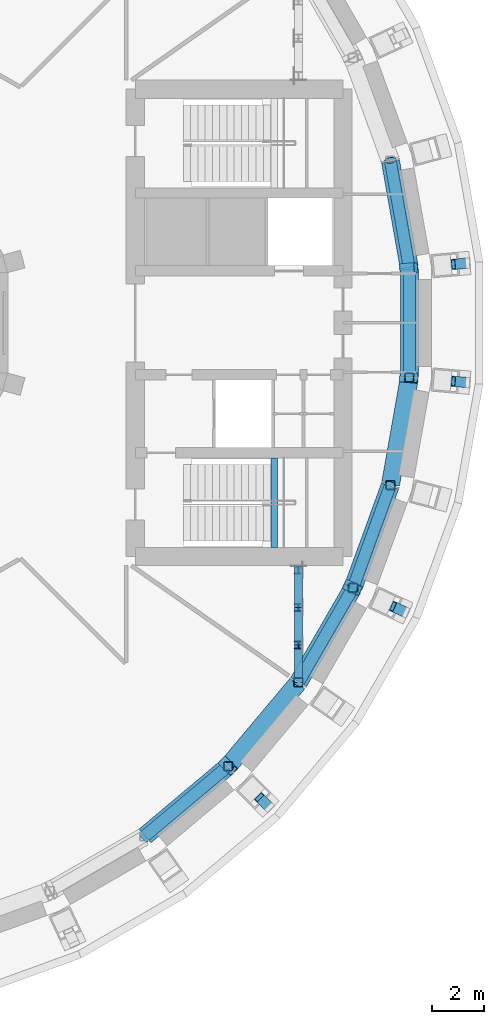
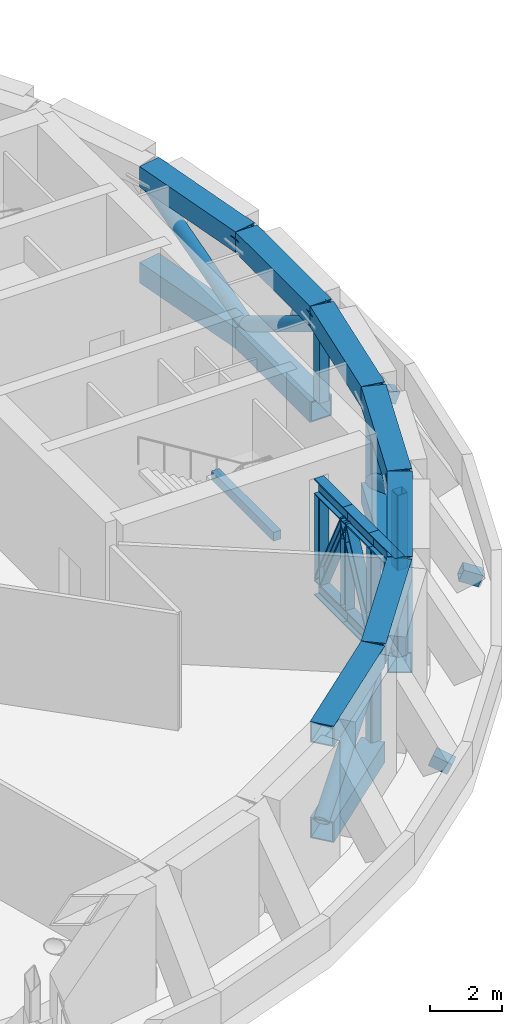
# One storey, part 4 of 20: 32 members, 9 beams.
"""IFC4 building model written with IfcOpenShell, lengths in metres."""

from ifc_helpers import new_model, si_unit, direction, frame, origin, origin_2d, place, context, subcontext, project, spatial, rectangle, hollow_rectangle, hollow_circle, i_section, extrude, material, material_profile, profile_set, type_object, element, save


model = new_model("IFC4")

# Units and contexts
model_context = context("Model", 3, precision=1e-05, world=origin(), true_north=direction((0.0, 1.0)))
body_context = subcontext(model_context, "Body", "Model", "MODEL_VIEW")
ifc_project = project(units=[si_unit("LENGTHUNIT", "METRE"), si_unit("AREAUNIT", "SQUARE_METRE"), si_unit("VOLUMEUNIT", "CUBIC_METRE"), si_unit("PLANEANGLEUNIT", "RADIAN"), si_unit("MASSUNIT", "GRAM", prefix="KILO")], contexts=[model_context])

# Site, building, storey
site_placement = place(None, origin())
site = spatial("IfcSite", under=ifc_project, at=site_placement, CompositionType="ELEMENT")
building_placement = place(site_placement, origin())
building = spatial("IfcBuilding", under=site, at=building_placement, Name="Saqina Gate Tower", CompositionType="ELEMENT")
storey_placement = place(building_placement, frame((0.0, 0.0, 151.300048828125)))
storey = spatial("IfcBuildingStorey", under=building, at=storey_placement, Name="L43", CompositionType="ELEMENT", Elevation=151.300048828125)

# Beam
ifc_material_1 = material(Name="Concrete C40/50", Category="concrete")
ifc_material_profile_1 = material_profile(ifc_material_1, rectangle(XDim=0.25, YDim=0.300048828125, at=origin_2d()), Name="STAIR LANDING BEAM")
ifc_profile_set_1 = profile_set([ifc_material_profile_1], Name="Concrete C40/50")
beam_type_1 = type_object("IfcBeamType", Name="STAIR LANDING BEAM", PredefinedType="BEAM", material=ifc_profile_set_1)
beam_placement = place(storey_placement, frame((18.860107421875, -8.64990234375, 1.849853515625), z_axis=(0.0, 1.0, 0.0), x_axis=(-1.0, 0.0, 0.0)))
element("IfcBeam", 1, at=beam_placement, inside=storey, type_object=beam_type_1, Name="EXIT STAIR 2 LANDING BEAM", PredefinedType="BEAM", context=body_context, shape_type="SweptSolid", body=[
    extrude(rectangle(XDim=0.25, YDim=0.300048828125, at=origin_2d()), origin(), (0.0, 0.0, 1.0), 3.449951171875),
])

# Members
ifc_material_2 = material(Name="Steel S460", Category="steel")
ifc_material_profile_2 = material_profile(ifc_material_2, hollow_rectangle(XDim=0.699951171875, YDim=0.699951171875, WallThickness=0.0400390625, at=origin_2d()), Name="BOX 700x700x40")
ifc_profile_set_2 = profile_set([ifc_material_profile_2], Name="Steel S460")
member_type_1 = type_object("IfcMemberType", Name="STR-BELT TRUSS L43 CHORD-BOX 700x700x40", PredefinedType="CHORD", material=ifc_profile_set_2)
for number, where, z_axis, x_axis, name in (
    (2, (24.052734375, 2.135009765625, 0.349853515625), (-0.173620815343, 0.984812577336, 0.0), (-0.984812577336, -0.173620815343, 0.0), "BELT TRUSS L43 CHORD 001"),
    (3, (24.052734375, 2.135009765625, 3.599853515625), (-0.173620815343, 0.984812577336, 0.0), (-0.984812577336, -0.173620815343, 0.0), "BELT TRUSS L43 CHORD 002"),
):
    element("IfcMember", number, at=place(storey_placement, frame(where, z_axis=z_axis, x_axis=x_axis)), inside=storey, type_object=member_type_1, Name=name, PredefinedType="CHORD", context=body_context, shape_type="SweptSolid", body=[
        extrude(hollow_rectangle(XDim=0.699951171875, YDim=0.699951171875, WallThickness=0.0400390625, at=origin_2d()), origin(), (0.0, 0.0, 1.0), 4.148193359375),
    ])
for number, where, z_axis, x_axis, name in (
    (4, (13.875244140625, -19.762939453125, 0.349853515625), (0.766031690049, 0.642802807898, 0.0), (-0.642802807898, 0.766031690049, 0.0), "BELT TRUSS L43 CHORD 071"),
    (5, (13.875244140625, -19.762939453125, 3.599853515625), (0.766031690049, 0.642802807898, 0.0), (-0.642802807898, 0.766031690049, 0.0), "BELT TRUSS L43 CHORD 072"),
    (6, (17.09619140625, -17.05322265625, 3.599853515625), (0.642802807898, 0.766031690049, 0.0), (-0.766031690049, 0.642802807898, 0.0), "BELT TRUSS L43 CHORD 074"),
):
    element("IfcMember", number, at=place(storey_placement, frame(where, z_axis=z_axis, x_axis=x_axis)), inside=storey, type_object=member_type_1, Name=name, PredefinedType="CHORD", context=body_context, shape_type="SweptSolid", body=[
        extrude(hollow_rectangle(XDim=0.699951171875, YDim=0.699951171875, WallThickness=0.0400390625, at=origin_2d()), origin(), (0.0, 0.0, 1.0), 4.148681640625),
    ])
for number, where, z_axis, x_axis, name in (
    (7, (19.7978515625, -13.825439453125, 0.349853515625), (0.4999873519, 0.866032706045, 0.0), (-0.866032706045, 0.4999873519, 0.0), "BELT TRUSS L43 CHORD 075"),
    (8, (19.7978515625, -13.825439453125, 3.599853515625), (0.4999873519, 0.866032706045, 0.0), (-0.866032706045, 0.4999873519, 0.0), "BELT TRUSS L43 CHORD 076"),
    (9, (21.897705078125, -10.177490234375, 0.349853515625), (0.342045465263, 0.939683403968, 0.0), (-0.939683403968, 0.342045465263, 0.0), "BELT TRUSS L43 CHORD 078"),
    (10, (21.897705078125, -10.177490234375, 3.599853515625), (0.342045465263, 0.939683403968, 0.0), (-0.939683403968, 0.342045465263, 0.0), "BELT TRUSS L43 CHORD 079"),
):
    element("IfcMember", number, at=place(storey_placement, frame(where, z_axis=z_axis, x_axis=x_axis)), inside=storey, type_object=member_type_1, Name=name, PredefinedType="CHORD", context=body_context, shape_type="SweptSolid", body=[
        extrude(hollow_rectangle(XDim=0.699951171875, YDim=0.699951171875, WallThickness=0.0400390625, at=origin_2d()), origin(), (0.0, 0.0, 1.0), 4.1484375),
    ])
member_1_placement = place(storey_placement, frame((23.33251953125, -6.22021484375, 3.599853515625), z_axis=(0.173620815343, 0.984812577336, 0.0), x_axis=(-0.984812577336, 0.173620815343, 0.0)))
element("IfcMember", 11, at=member_1_placement, inside=storey, type_object=member_type_1, Name="BELT TRUSS L43 CHORD 081", PredefinedType="CHORD", context=body_context, shape_type="SweptSolid", body=[
    extrude(hollow_rectangle(XDim=0.699951171875, YDim=0.699951171875, WallThickness=0.0400390625, at=origin_2d()), origin(), (0.0, 0.0, 1.0), 4.148193359375),
])
for number, where, z_axis, x_axis, name in (
    (12, (24.05810546875, -2.07421875, 0.349853515625), (0.0, 1.0, 0.0), (-1.0, 0.0, 0.0), "BELT TRUSS L43 CHORD 082"),
    (13, (24.05810546875, -2.07421875, 3.599853515625), (0.0, 1.0, 0.0), (-1.0, 0.0, 0.0), "BELT TRUSS L43 CHORD 083"),
):
    element("IfcMember", number, at=place(storey_placement, frame(where, z_axis=z_axis, x_axis=x_axis)), inside=storey, type_object=member_type_1, Name=name, PredefinedType="CHORD", context=body_context, shape_type="SweptSolid", body=[
        extrude(hollow_rectangle(XDim=0.699951171875, YDim=0.699951171875, WallThickness=0.0400390625, at=origin_2d()), origin(), (0.0, 0.0, 1.0), 4.1484375),
    ])
ifc_material_3 = material(Name="Steel S460", Category="steel")
ifc_material_profile_3 = material_profile(ifc_material_3, hollow_circle(Radius=0.228515625, WallThickness=0.02001953125, at=origin_2d()), Name="CHS 457x20")
ifc_profile_set_3 = profile_set([ifc_material_profile_3], Name="Steel S460")
member_type_2 = type_object("IfcMemberType", Name="STR-BELT TRUSS L43 DIAGONAL-CHS 457x20", PredefinedType="BRACE", material=ifc_profile_set_3)
for number, where, z_axis, x_axis, name in (
    (14, (24.059814453125, 2.0947265625, 0.69384765625), (-0.148493144283, 0.842333284872, 0.518096924617), (-0.98481433833, -0.173610826332, 0.0), "BELT TRUSS L43 DIAGONAL 003"),
    (15, (13.843994140625, -19.7890625, 0.69384765625), (0.655226878482, 0.549782396267, 0.51808981313), (-0.64277509834, 0.766054941211, 0.0), "BELT TRUSS L43 DIAGONAL 073"),
):
    element("IfcMember", number, at=place(storey_placement, frame(where, z_axis=z_axis, x_axis=x_axis)), inside=storey, type_object=member_type_2, Name=name, PredefinedType="BRACE", context=body_context, shape_type="SweptSolid", body=[
        extrude(hollow_circle(Radius=0.228515625, WallThickness=0.02001953125, at=origin_2d()), origin(), (0.0, 0.0, 1.0), 4.945556640625),
    ])
member_2_placement = place(storey_placement, frame((19.77734375, -13.86083984375, 0.69384765625), z_axis=(0.427681122719, 0.740741335125, 0.518064794892), x_axis=(-0.86601836006, 0.500012199891, 0.0)))
element("IfcMember", 16, at=member_2_placement, inside=storey, type_object=member_type_2, Name="BELT TRUSS L43 DIAGONAL 077", PredefinedType="BRACE", context=body_context, shape_type="SweptSolid", body=[
    extrude(hollow_circle(Radius=0.228515625, WallThickness=0.02001953125, at=origin_2d()), origin(), (0.0, 0.0, 1.0), 4.94580078125),
])
for number, where, z_axis, x_axis, name in (
    (17, (21.8837890625, -10.2158203125, 3.256103515625), (0.292533729766, 0.803751972333, -0.518079901096), (-0.939695650784, 0.34201181836, 0.0), "BELT TRUSS L43 DIAGONAL 080"),
    (18, (24.05810546875, -2.114990234375, 3.256103515625), (0.0, 0.855320477382, -0.51809929644), (-1.0, 0.0, 0.0), "BELT TRUSS L43 DIAGONAL 084"),
):
    element("IfcMember", number, at=place(storey_placement, frame(where, z_axis=z_axis, x_axis=x_axis)), inside=storey, type_object=member_type_2, Name=name, PredefinedType="BRACE", context=body_context, shape_type="SweptSolid", body=[
        extrude(hollow_circle(Radius=0.228515625, WallThickness=0.02001953125, at=origin_2d()), origin(), (0.0, 0.0, 1.0), 4.945556640625),
    ])
ifc_material_4 = material(Name="Steel S460", Category="steel")
ifc_material_profile_4 = material_profile(ifc_material_4, hollow_rectangle(XDim=0.35009765625, YDim=0.35009765625, WallThickness=0.01611328125, InnerFilletRadius=0.031982421875, OuterFilletRadius=0.048095703125, at=origin_2d()), Name="SHS 350x350x16")
ifc_profile_set_4 = profile_set([ifc_material_profile_4], Name="Steel S460")
member_type_3 = type_object("IfcMemberType", Name="STR-BELT TRUSS L43 POST-SHS 350x350x16", PredefinedType="POST", material=ifc_profile_set_4)
for number, where, z_axis, x_axis, name in (
    (19, (17.07666015625, -17.07666015625, 0.699951171875), (0.0, 0.0, 1.0), (1.0, 0.0, 0.0), "BELT TRUSS L43 POST 115"),
    (20, (19.782470703125, -13.851806640625, 0.699951171875), (0.0, 0.0, 1.0), (1.0, 0.0, 0.0), "BELT TRUSS L43 POST 116"),
    (21, (21.887451171875, -10.206298828125, 0.699951171875), (0.0, 0.0, 1.0), (1.0, 0.0, 0.0), "BELT TRUSS L43 POST 117"),
    (22, (23.3271484375, -6.25048828125, 0.699951171875), (0.0, 0.0, 1.0), (1.0, 0.0, 0.0), "BELT TRUSS L43 POST 118"),
    (23, (24.05810546875, -2.104736328125, 0.699951171875), (0.0, 0.0, 1.0), (1.0, 0.0, 0.0), "BELT TRUSS L43 POST 119"),
):
    element("IfcMember", number, at=place(storey_placement, frame(where, z_axis=z_axis, x_axis=x_axis)), inside=storey, type_object=member_type_3, Name=name, PredefinedType="POST", context=body_context, shape_type="SweptSolid", body=[
        extrude(hollow_rectangle(XDim=0.35009765625, YDim=0.35009765625, WallThickness=0.01611328125, InnerFilletRadius=0.031982421875, OuterFilletRadius=0.048095703125, at=origin_2d()), origin(), (0.0, 0.0, 1.0), 2.550048828125),
    ])

# Beams
ifc_material_5 = material(Name="Steel S460", Category="steel")
ifc_material_profile_5 = material_profile(ifc_material_5, hollow_rectangle(XDim=0.39990234375, YDim=0.39990234375, WallThickness=0.030029296875, at=origin_2d()), Name="BOX 400x400x30")
ifc_profile_set_5 = profile_set([ifc_material_profile_5], Name="Steel S460")
beam_type_2 = type_object("IfcBeamType", Name="STR-NODE TIE BEAM L43-BOX 400x400x30", PredefinedType="BEAM", material=ifc_profile_set_5)
for number, where, z_axis, x_axis, name in (
    (24, (26.299560546875, 2.301025390625, 0.185302734375), (-0.923078485034, -0.081036747572, 0.37597760041), (0.087453305759, -0.996168619919, 0.0), "NODE TIE BEAM L43 01 FOOT"),
    (25, (23.75927734375, 2.07861328125, 3.54150390625), (0.923078485034, 0.081036747572, 0.37597760041), (-0.087453305759, 0.996168619919, 0.0), "NODE TIE BEAM L43 01 HEAD"),
    (26, (18.667724609375, -18.667724609375, 0.185302734375), (-0.655234170269, 0.655234170269, 0.375947289156), (-0.707106781187, -0.707106781187, 0.0), "NODE TIE BEAM L43 32 FOOT"),
    (27, (16.864501953125, -16.864501953125, 3.54150390625), (0.655234170269, -0.655234170269, 0.375947289156), (0.707106781187, 0.707106781187, 0.0), "NODE TIE BEAM L43 32 HEAD"),
    (28, (23.926513671875, -11.1572265625, 0.185302734375), (-0.839862544112, 0.39155197943, 0.37592280378), (-0.42254525848, -0.906341825437, 0.0), "NODE TIE BEAM L43 34 FOOT"),
    (29, (21.615478515625, -10.079345703125, 3.54150390625), (0.839862544112, -0.39155197943, 0.37592280378), (0.42254525848, 0.906341825437, 0.0), "NODE TIE BEAM L43 34 HEAD"),
    (30, (26.299560546875, -2.301025390625, 0.185302734375), (-0.923078485034, 0.081036747572, 0.37597760041), (-0.087453305759, -0.996168619919, 0.0), "NODE TIE BEAM L43 36 FOOT"),
    (31, (23.75927734375, -2.07861328125, 3.54150390625), (0.923078485034, -0.081036747572, 0.37597760041), (0.087453305759, 0.996168619919, 0.0), "NODE TIE BEAM L43 36 HEAD"),
):
    element("IfcBeam", number, at=place(storey_placement, frame(where, z_axis=z_axis, x_axis=x_axis)), inside=storey, type_object=beam_type_2, Name=name, PredefinedType="BEAM", context=body_context, shape_type="SweptSolid", body=[
        extrude(hollow_rectangle(XDim=0.39990234375, YDim=0.39990234375, WallThickness=0.030029296875, at=origin_2d()), origin(), (0.0, 0.0, 1.0), 0.593505859375),
    ])

# Members
ifc_material_6 = material(Name="Steel S460", Category="steel")
ifc_material_profile_6 = material_profile(ifc_material_6, i_section(OverallWidth=0.305908203125, OverallDepth=0.52392578125, WebThickness=0.02099609375, FlangeThickness=0.0400390625, FilletRadius=0.027099609375, at=origin_2d()), Name="HE 500 M")
ifc_profile_set_6 = profile_set([ifc_material_profile_6], Name="Steel S460")
member_type_4 = type_object("IfcMemberType", Name="STR-OUTRIGGER TRUSS L43 CHORD-HE 500 M", PredefinedType="CHORD", material=ifc_profile_set_6)
for number, where, z_axis, x_axis, name in (
    (32, (19.782470703125, -9.367919921875, 0.261962890625), (0.0, -1.0, 0.0), (1.0, 0.0, 0.0), "OUTRIGGER TRUSS L43 CHORD 130"),
    (33, (19.782470703125, -9.367919921875, 3.68798828125), (0.0, -1.0, 0.0), (1.0, 0.0, 0.0), "OUTRIGGER TRUSS L43 CHORD 131"),
):
    element("IfcMember", number, at=place(storey_placement, frame(where, z_axis=z_axis, x_axis=x_axis)), inside=storey, type_object=member_type_4, Name=name, PredefinedType="CHORD", context=body_context, shape_type="SweptSolid", body=[
        extrude(i_section(OverallWidth=0.305908203125, OverallDepth=0.52392578125, WebThickness=0.02099609375, FlangeThickness=0.0400390625, FilletRadius=0.027099609375, at=origin_2d()), origin(), (0.0, 0.0, 1.0), 1.5947265625),
    ])
for number, where, z_axis, x_axis, name in (
    (34, (19.782470703125, -10.962646484375, 0.261962890625), (0.0, -1.0, 0.0), (1.0, 0.0, 0.0), "OUTRIGGER TRUSS L43 CHORD 133"),
    (35, (19.782470703125, -10.962646484375, 3.68798828125), (0.0, -1.0, 0.0), (1.0, 0.0, 0.0), "OUTRIGGER TRUSS L43 CHORD 134"),
    (36, (19.782470703125, -12.4072265625, 3.68798828125), (0.0, -1.0, 0.0), (1.0, 0.0, 0.0), "OUTRIGGER TRUSS L43 CHORD 136"),
):
    element("IfcMember", number, at=place(storey_placement, frame(where, z_axis=z_axis, x_axis=x_axis)), inside=storey, type_object=member_type_4, Name=name, PredefinedType="CHORD", context=body_context, shape_type="SweptSolid", body=[
        extrude(i_section(OverallWidth=0.305908203125, OverallDepth=0.52392578125, WebThickness=0.02099609375, FlangeThickness=0.0400390625, FilletRadius=0.027099609375, at=origin_2d()), origin(), (0.0, 0.0, 1.0), 1.444580078125),
    ])
ifc_material_7 = material(Name="Steel S460", Category="steel")
ifc_material_profile_7 = material_profile(ifc_material_7, i_section(OverallWidth=0.31005859375, OverallDepth=0.340087890625, WebThickness=0.02099609375, FlangeThickness=0.0390625, FilletRadius=0.027099609375, at=origin_2d()), Name="HE 300 M")
ifc_profile_set_7 = profile_set([ifc_material_profile_7], Name="Steel S460")
member_type_5 = type_object("IfcMemberType", Name="STR-OUTRIGGER TRUSS L43 DIAGONAL-HE 300 M", PredefinedType="BRACE", material=ifc_profile_set_7)
for number, where, z_axis, x_axis, name in (
    (37, (19.782470703125, -9.5126953125, 0.51318359375), (0.0, -0.445628039484, 0.89521821386), (1.0, 0.0, 0.0), "OUTRIGGER TRUSS L43 DIAGONAL 132"),
    (38, (19.782470703125, -10.957275390625, 3.436767578125), (0.0, -0.445628039484, -0.89521821386), (1.0, 0.0, 0.0), "OUTRIGGER TRUSS L43 DIAGONAL 135"),
):
    element("IfcMember", number, at=place(storey_placement, frame(where, z_axis=z_axis, x_axis=x_axis)), inside=storey, type_object=member_type_5, Name=name, PredefinedType="BRACE", context=body_context, shape_type="SweptSolid", body=[
        extrude(i_section(OverallWidth=0.31005859375, OverallDepth=0.340087890625, WebThickness=0.02099609375, FlangeThickness=0.0390625, FilletRadius=0.027099609375, at=origin_2d()), origin(), (0.0, 0.0, 1.0), 3.265869140625),
    ])
ifc_material_8 = material(Name="Steel S460", Category="steel")
ifc_material_profile_8 = material_profile(ifc_material_8, i_section(OverallWidth=0.300048828125, OverallDepth=0.300048828125, WebThickness=0.010986328125, FlangeThickness=0.01904296875, FilletRadius=0.027099609375, at=origin_2d()), Name="HE 300 B")
ifc_profile_set_8 = profile_set([ifc_material_profile_8], Name="Steel S460")
member_type_6 = type_object("IfcMemberType", Name="STR-OUTRIGGER TRUSS L43 POST-HE 300 B", PredefinedType="POST", material=ifc_profile_set_8)
for number, where, z_axis, x_axis, name in (
    (39, (19.782470703125, -9.51806640625, 0.52392578125), (0.0, 0.0, 1.0), (1.0, 0.0, 0.0), "OUTRIGGER TRUSS L43 POST 137"),
    (40, (19.782470703125, -10.962646484375, 0.52392578125), (0.0, 0.0, 1.0), (1.0, 0.0, 0.0), "OUTRIGGER TRUSS L43 POST 138"),
    (41, (19.782470703125, -12.4072265625, 0.52392578125), (0.0, 0.0, 1.0), (1.0, 0.0, 0.0), "OUTRIGGER TRUSS L43 POST 139"),
):
    element("IfcMember", number, at=place(storey_placement, frame(where, z_axis=z_axis, x_axis=x_axis)), inside=storey, type_object=member_type_6, Name=name, PredefinedType="POST", context=body_context, shape_type="SweptSolid", body=[
        extrude(i_section(OverallWidth=0.300048828125, OverallDepth=0.300048828125, WebThickness=0.010986328125, FlangeThickness=0.01904296875, FilletRadius=0.027099609375, at=origin_2d()), origin(), (0.0, 0.0, 1.0), 2.902099609375),
    ])

save(model, "model.ifc")
